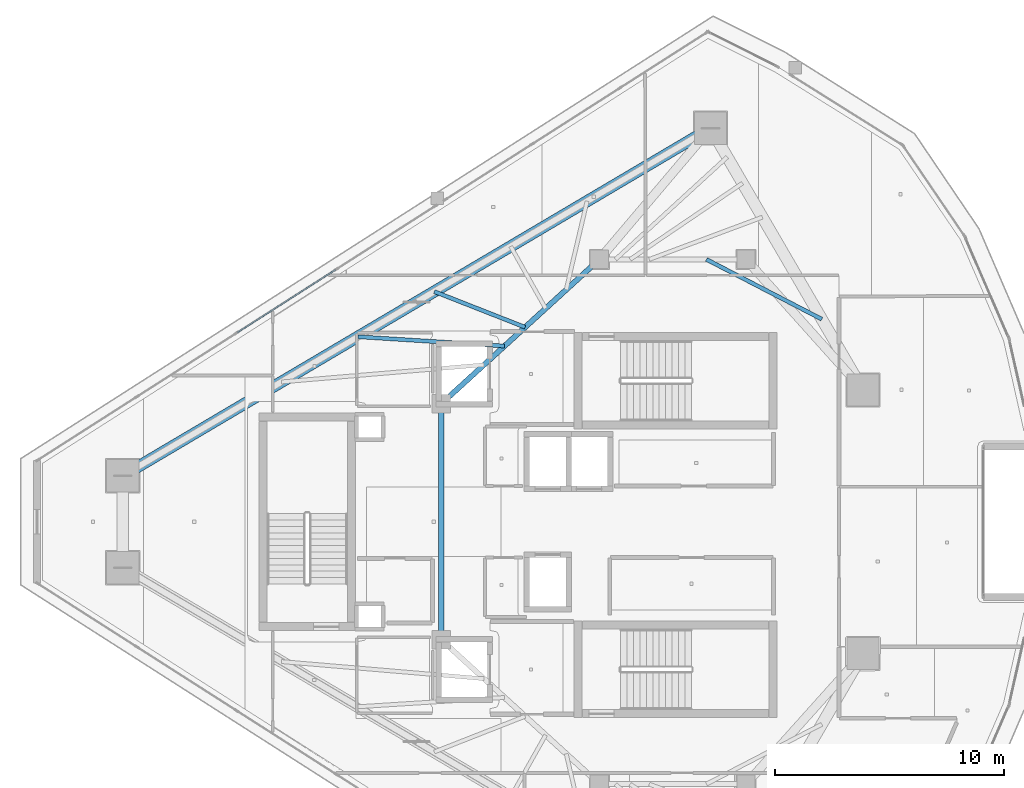
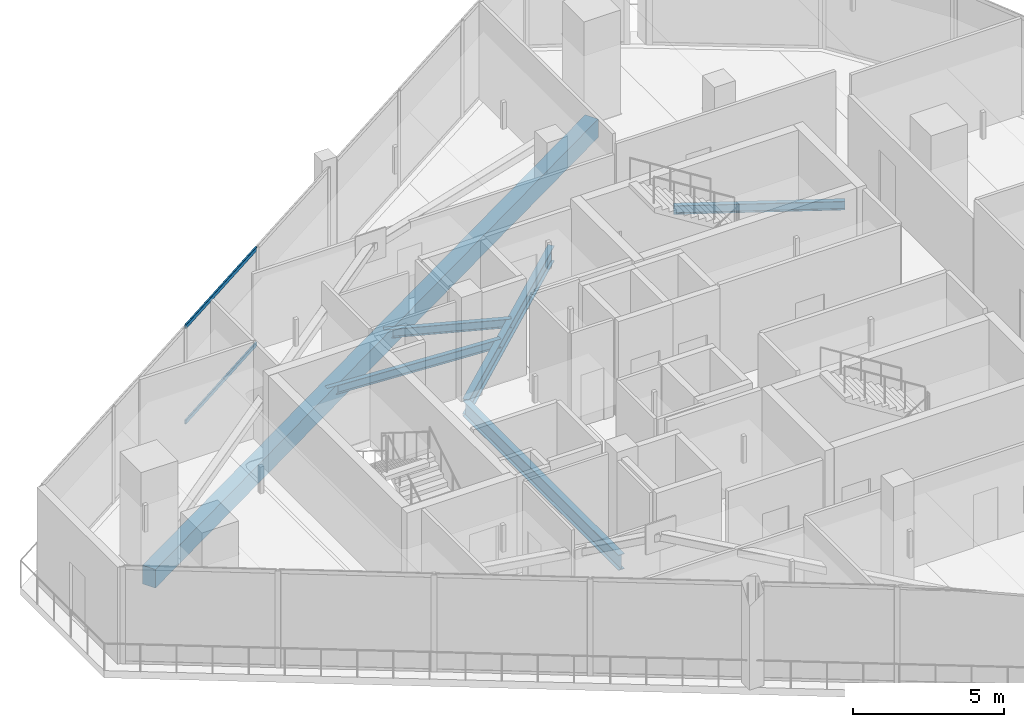
# One storey, part 8 of 25: 6 beams, 2 members, 1 element without a shape of its own.
"""IFC4 building model written with IfcOpenShell, lengths in metres."""

import ifcopenshell
import ifcopenshell.guid

model = None  # the IFC model being written
_history = None  # IfcOwnerHistory: only IFC2X3 demands one
_inside = {}  # id of a spatial element -> (the spatial element, [elements in it])
_under = {}  # id of a project, library or spatial element -> (it, [spatial elements below it])
_declared = {}  # id of a project -> (the project, [libraries it declares])
_typed = {}  # id of a type object -> (the type object, [elements of that type])
_made_of = {}  # id of a material, layer set ... -> (it, [elements and type objects made of it])


def new_model(schema):
    """Start an empty IFC model of exactly this schema.

    Asked for "IFC4X3", IfcOpenShell would pick the latest addendum, in which some entities
    have other attributes; the version numbers below select the first issue.
    IFC2X3 requires an IfcOwnerHistory on every rooted entity: one is made here for all.
    """
    global model, _history
    if schema == "IFC4X3":
        model = ifcopenshell.file(schema_version=(4, 3, 0, 0))
    else:
        model = ifcopenshell.file(schema=schema)
    _inside.clear()
    _under.clear()
    _declared.clear()
    _typed.clear()
    _made_of.clear()
    _history = None
    if model.schema == "IFC2X3":
        org = make("IfcOrganization", Name="unknown")
        user = make(
            "IfcPersonAndOrganization",
            ThePerson=make("IfcPerson", FamilyName="unknown"),
            TheOrganization=org,
        )
        app = make(
            "IfcApplication",
            ApplicationDeveloper=org,
            Version="unknown",
            ApplicationFullName="unknown",
            ApplicationIdentifier="unknown",
        )
        _history = make(
            "IfcOwnerHistory",
            OwningUser=user,
            OwningApplication=app,
            ChangeAction="ADDED",
            CreationDate=0,
        )
    return model


def make(cls, **values):
    """One entity of the class cls with the attributes given. An attribute that is None is left unset."""
    return model.create_entity(
        cls, **{name: value for name, value in values.items() if value is not None}
    )


def rooted(cls, **values):
    """An entity with a GlobalId (a new one), such as an element, a storey or a relation."""
    return make(cls, GlobalId=ifcopenshell.guid.new(), OwnerHistory=_history, **values)


def si_unit(unit_type, name, prefix=None):
    """IfcSIUnit, for example si_unit("LENGTHUNIT", "METRE", prefix="MILLI")."""
    return make("IfcSIUnit", UnitType=unit_type, Prefix=prefix, Name=name)


def assignment(units):
    """IfcUnitAssignment: the units of a project."""
    return None if units is None else make("IfcUnitAssignment", Units=units)


def point(xyz):
    """IfcCartesianPoint."""
    return None if xyz is None else make("IfcCartesianPoint", Coordinates=xyz)


def direction(xyz):
    """IfcDirection."""
    return None if xyz is None else make("IfcDirection", DirectionRatios=xyz)


def frame(location, z_axis=None, x_axis=None):
    """IfcAxis2Placement3D, a coordinate frame: its origin and axes. An axis left out is left unset."""
    return make(
        "IfcAxis2Placement3D",
        Location=point(location),
        Axis=direction(z_axis),
        RefDirection=direction(x_axis),
    )


def frame_2d(location, x_axis=None):
    """IfcAxis2Placement2D, a coordinate frame in the plane: its origin and x axis."""
    return make(
        "IfcAxis2Placement2D", Location=point(location), RefDirection=direction(x_axis)
    )


def origin():
    """The frame at (0, 0, 0) with its axes left unset."""
    return frame((0.0, 0.0, 0.0))


def origin_2d():
    """The frame at (0, 0) in the plane with its x axis left unset."""
    return frame_2d((0.0, 0.0))


def place(relative_to, where):
    """IfcLocalPlacement: puts the frame where relative to a parent placement (None: the world)."""
    return make(
        "IfcLocalPlacement", PlacementRelTo=relative_to, RelativePlacement=where
    )


def context(
    kind, dimensions, precision=None, world=None, true_north=None, identifier=None
):
    """IfcGeometricRepresentationContext, for example the 3D "Model" context."""
    return make(
        "IfcGeometricRepresentationContext",
        ContextIdentifier=identifier,
        ContextType=kind,
        CoordinateSpaceDimension=dimensions,
        Precision=precision,
        WorldCoordinateSystem=world,
        TrueNorth=true_north,
    )


def subcontext(parent, identifier, kind, view, scale=None):
    """IfcGeometricRepresentationSubContext, for example "Body" below "Model"."""
    return make(
        "IfcGeometricRepresentationSubContext",
        ContextIdentifier=identifier,
        ContextType=kind,
        ParentContext=parent,
        TargetScale=scale,
        TargetView=view,
    )


def project(units=None, contexts=None):
    """IfcProject with its units and contexts."""
    return rooted(
        "IfcProject",
        Name="project",
        RepresentationContexts=contexts,
        UnitsInContext=assignment(units),
    )


def spatial(cls, under=None, at=None, **own):
    """A site, building, storey or space (cls), placed at a placement, below another one or the project."""
    s = rooted(cls, ObjectPlacement=at, **own)
    if under is not None:
        _under.setdefault(under.id(), (under, []))[1].append(s)
    return s


def profile(cls, at=None, kind="AREA", **sizes):
    """A parametric profile (cls). Its sizes go by their IFC names, for example OverallWidth=200.0."""
    return make(cls, ProfileType=kind, Position=at, **sizes)


def rectangle(**sizes):
    """IfcRectangleProfileDef."""
    return profile("IfcRectangleProfileDef", **sizes)


def hollow_rectangle(**sizes):
    """IfcRectangleHollowProfileDef."""
    return profile("IfcRectangleHollowProfileDef", **sizes)


def i_section(**sizes):
    """IfcIShapeProfileDef."""
    return profile("IfcIShapeProfileDef", **sizes)


def extrude(swept, where, along, depth):
    """IfcExtrudedAreaSolid: the profile swept, set in the frame where, extruded along a direction by depth."""
    return make(
        "IfcExtrudedAreaSolid",
        SweptArea=swept,
        Position=where,
        ExtrudedDirection=direction(along),
        Depth=depth,
    )


def shape(context_of_items, identifier, shape_type, items):
    """IfcShapeRepresentation: the items that make up one representation, for example the "Body"."""
    return make(
        "IfcShapeRepresentation",
        ContextOfItems=context_of_items,
        RepresentationIdentifier=identifier,
        RepresentationType=shape_type,
        Items=items,
    )


def material(Name=None, Category=None):
    """IfcMaterial."""
    return make("IfcMaterial", Name=Name, Category=Category)


def layer(
    of_material, thickness, ventilated=None, Name=None, Category=None, Priority=None
):
    """IfcMaterialLayer: one layer of a wall or slab, of a material (None: an air gap)."""
    return make(
        "IfcMaterialLayer",
        Material=of_material,
        LayerThickness=thickness,
        IsVentilated=ventilated,
        Name=Name,
        Category=Category,
        Priority=Priority,
    )


def layer_set(layers, Name=None):
    """IfcMaterialLayerSet."""
    return make("IfcMaterialLayerSet", MaterialLayers=layers, LayerSetName=Name)


def material_profile(
    of_material, cross_section, Name=None, Category=None, Priority=None
):
    """IfcMaterialProfile: a cross section and its material."""
    return make(
        "IfcMaterialProfile",
        Name=Name,
        Material=of_material,
        Profile=cross_section,
        Priority=Priority,
        Category=Category,
    )


def profile_set(profiles, Name=None, composite=None):
    """IfcMaterialProfileSet."""
    return make(
        "IfcMaterialProfileSet",
        Name=Name,
        MaterialProfiles=profiles,
        CompositeProfile=composite,
    )


def made_of(thing, what):
    """Note that an element or type object is made of a material, layer set ...; save() writes the relation."""
    if what is not None:
        _made_of.setdefault(what.id(), (what, []))[1].append(thing)
    return thing


def type_object(cls, material=None, **own):
    """A type object (cls), such as IfcWallType, which elements share."""
    return made_of(rooted(cls, **own), material)


def element(
    cls,
    number,
    at=None,
    inside=None,
    cuts=None,
    type_object=None,
    material=None,
    context=None,
    identifier="Body",
    shape_type=None,
    held_by="IfcProductDefinitionShape",
    body=None,
    shapes=None,
    **own,
):
    """One element of the class cls, such as IfcWall. Its Tag is "e" and its number.

    at: its placement. inside: the storey or other place that contains it. cuts: it is an
    opening in that element (IfcRelVoidsElement). A single representation is given by context,
    identifier, shape_type and body (its items); several are given by shapes. held_by: the class
    of the entity that holds the representations. save() writes the other relations.
    """
    e = rooted(cls, Tag="e%d" % number, ObjectPlacement=at, **own)
    if body is not None:
        shapes = [shape(context, identifier, shape_type, body)]
    if shapes is not None:
        e.Representation = make(held_by, Representations=shapes)
    if inside is not None:
        _inside.setdefault(inside.id(), (inside, []))[1].append(e)
    if cuts is not None:
        rooted(
            "IfcRelVoidsElement", RelatingBuildingElement=cuts, RelatedOpeningElement=e
        )
    if type_object is not None:
        _typed.setdefault(type_object.id(), (type_object, []))[1].append(e)
    return made_of(e, material)


def aggregate(whole, parts):
    """IfcRelAggregates: a whole, such as a stair, and the parts it consists of."""
    return rooted("IfcRelAggregates", RelatingObject=whole, RelatedObjects=parts)


def save(model, path):
    """Write the relations noted so far, then the file.

    IfcRelAggregates (storeys below a building ...), IfcRelContainedInSpatialStructure (elements
    in a storey), IfcRelDefinesByType, IfcRelAssociatesMaterial and IfcRelDeclares: one each for
    every whole, place, type object, material and project.
    """
    for whole, parts in _under.values():
        aggregate(whole, parts)
    for where, things in _inside.values():
        rooted(
            "IfcRelContainedInSpatialStructure",
            RelatedElements=things,
            RelatingStructure=where,
        )
    for kind, things in _typed.values():
        rooted("IfcRelDefinesByType", RelatedObjects=things, RelatingType=kind)
    for what, things in _made_of.values():
        rooted("IfcRelAssociatesMaterial", RelatedObjects=things, RelatingMaterial=what)
    for by, libraries in _declared.values():
        rooted("IfcRelDeclares", RelatingContext=by, RelatedDefinitions=libraries)
    model.write(path)


model = new_model("IFC4")

# Units and contexts
model_context = context("Model", 3, precision=1e-05, world=origin(), true_north=direction((0.0, 1.0)))
body_context = subcontext(model_context, "Body", "Model", "MODEL_VIEW")
ifc_project = project(units=[si_unit("LENGTHUNIT", "METRE"), si_unit("AREAUNIT", "SQUARE_METRE"), si_unit("VOLUMEUNIT", "CUBIC_METRE"), si_unit("PLANEANGLEUNIT", "RADIAN"), si_unit("MASSUNIT", "GRAM", prefix="KILO")], contexts=[model_context])

# Site, building, storey
site_placement = place(None, origin())
site = spatial("IfcSite", under=ifc_project, at=site_placement, CompositionType="ELEMENT")
building_placement = place(site_placement, origin())
building = spatial("IfcBuilding", under=site, at=building_placement, Name="Qorvath Tower", CompositionType="ELEMENT")
storey_placement = place(building_placement, frame((0.0, 0.0, 314.39990234375)))
storey = spatial("IfcBuildingStorey", under=building, at=storey_placement, Name="L73", CompositionType="ELEMENT", Elevation=314.39990234375)

# Beams
ifc_material_1 = material(Name="Steel ASTM A992 Grade 50", Category="steel")
ifc_material_profile_1 = material_profile(ifc_material_1, i_section(OverallWidth=0.22998046875, OverallDepth=0.616943359375, WebThickness=0.01318359375, FlangeThickness=0.022216796875, FilletRadius=0.014892578125, at=origin_2d()), Name="W24x94")
ifc_profile_set_1 = profile_set([ifc_material_profile_1], Name="Steel ASTM A992 Grade 50")
beam_type_1 = type_object("IfcBeamType", Name="BM-FG6", PredefinedType="BEAM", material=ifc_profile_set_1)
beam_1_placement = place(storey_placement, frame((-30.5, -5.14990234375, -0.598388671875), z_axis=(0.0, 1.0, 0.0), x_axis=(-1.0, 0.0, 0.0)))
element("IfcBeam", 1, at=beam_1_placement, inside=storey, type_object=beam_type_1, Name="Core Ring Girder CC6-CC5 L73", PredefinedType="BEAM", context=body_context, shape_type="SweptSolid", body=[
    extrude(i_section(OverallWidth=0.22998046875, OverallDepth=0.616943359375, WebThickness=0.01318359375, FlangeThickness=0.022216796875, FilletRadius=0.014892578125, at=origin_2d()), origin(), (0.0, 0.0, 1.0), 10.2998046875),
])
beam_2_placement = place(storey_placement, frame((-30.5, 5.14990234375, -0.598388671875), z_axis=(0.73847813985, 0.6742774184, 0.0), x_axis=(-0.6742774184, 0.73847813985, 0.0)))
element("IfcBeam", 2, at=beam_2_placement, inside=storey, type_object=beam_type_1, Name="Core Ring Girder CC5-CC1 L73", PredefinedType="BEAM", context=body_context, shape_type="SweptSolid", body=[
    extrude(i_section(OverallWidth=0.22998046875, OverallDepth=0.616943359375, WebThickness=0.01318359375, FlangeThickness=0.022216796875, FilletRadius=0.014892578125, at=origin_2d()), origin(), (0.0, 0.0, 1.0), 9.343505859375),
])
ifc_material_2 = material(Name="Steel ASTM A992 Grade 50", Category="steel")
ifc_material_profile_2 = material_profile(ifc_material_2, i_section(OverallWidth=0.1708984375, OverallDepth=0.35107421875, WebThickness=0.0068359375, FlangeThickness=0.009765625, FilletRadius=0.010009765625, at=origin_2d()), Name="W14x30")
ifc_profile_set_2 = profile_set([ifc_material_profile_2], Name="Steel ASTM A992 Grade 50")
beam_type_2 = type_object("IfcBeamType", Name="BM-FJ4", PredefinedType="JOIST", material=ifc_profile_set_2)
beam_3_placement = place(storey_placement, frame((-18.927978515625, 11.449951171875, -0.46533203125), z_axis=(0.887840529015, -0.460151274082, 0.0), x_axis=(0.460151274082, 0.887840529015, 0.0)))
element("IfcBeam", 3, at=beam_3_placement, inside=storey, type_object=beam_type_2, Name="Composite Floor Joist NE2 L73", PredefinedType="JOIST", context=body_context, shape_type="SweptSolid", body=[
    extrude(i_section(OverallWidth=0.1708984375, OverallDepth=0.35107421875, WebThickness=0.0068359375, FlangeThickness=0.009765625, FilletRadius=0.010009765625, at=origin_2d()), origin(), (0.0, 0.0, 1.0), 5.670654296875),
])
beam_4_placement = place(storey_placement, frame((-27.739990234375, 7.669921875, -0.46533203125), z_axis=(-0.998006998641, 0.063103333222, 0.0), x_axis=(-0.063103333222, -0.998006998641, 0.0)))
element("IfcBeam", 4, at=beam_4_placement, inside=storey, type_object=beam_type_2, Name="Composite Floor Joist NW3 L73", PredefinedType="JOIST", context=body_context, shape_type="SweptSolid", body=[
    extrude(i_section(OverallWidth=0.1708984375, OverallDepth=0.35107421875, WebThickness=0.0068359375, FlangeThickness=0.009765625, FilletRadius=0.010009765625, at=origin_2d()), origin(), (0.0, 0.0, 1.0), 6.41455078125),
])
beam_5_placement = place(storey_placement, frame((-26.843017578125, 8.489013671875, -0.46533203125), z_axis=(-0.930720832638, 0.365730408489, 0.0), x_axis=(-0.365730408489, -0.930720832638, 0.0)))
element("IfcBeam", 5, at=beam_5_placement, inside=storey, type_object=beam_type_2, Name="Composite Floor Joist NW4 L73", PredefinedType="JOIST", context=body_context, shape_type="SweptSolid", body=[
    extrude(i_section(OverallWidth=0.1708984375, OverallDepth=0.35107421875, WebThickness=0.0068359375, FlangeThickness=0.009765625, FilletRadius=0.010009765625, at=origin_2d()), origin(), (0.0, 0.0, 1.0), 4.259033203125),
])
ifc_material_3 = material(Name="Concrete C45/55", Category="concrete")
ifc_material_profile_3 = material_profile(ifc_material_3, rectangle(XDim=0.5, YDim=0.75, at=origin_2d()), Name="RCB 750x500")
ifc_profile_set_3 = profile_set([ifc_material_profile_3], Name="Concrete C45/55")
beam_type_3 = type_object("IfcBeamType", Name="BM-RCB3", PredefinedType="SPANDREL", material=ifc_profile_set_3)
beam_6_placement = place(storey_placement, frame((-18.75048828125, 17.175537109375, -0.664794921875), z_axis=(-0.860780849348, -0.508975765038, 0.0), x_axis=(0.508975765038, -0.860780849348, 0.0)))
element("IfcBeam", 6, at=beam_6_placement, inside=storey, type_object=beam_type_3, Name="Perimeter Loggia Frame Beam MC6-MC1 L73", PredefinedType="SPANDREL", context=body_context, shape_type="SweptSolid", body=[
    extrude(rectangle(XDim=0.5, YDim=0.75, at=origin_2d()), origin(), (0.0, 0.0, 1.0), 29.801025390625),
])

# Curtain wall, members
ifc_material_4 = material(Name="Anodised aluminium and triple low-E glass", Category="aluminium")
ifc_layer = layer(ifc_material_4, 0.179931640625)
ifc_layer_set = layer_set([ifc_layer], Name="CW-SYS-4")
curtain_wall_type = type_object("IfcCurtainWallType", Name="CW-SYS-4", PredefinedType="NOTDEFINED", material=ifc_layer_set)
curtain_wall_placement = place(storey_placement, origin())
curtain_wall = element("IfcCurtainWall", 7, at=curtain_wall_placement, inside=storey, type_object=curtain_wall_type, Name="Curtain Wall CW-4 CW-T-L73-16.2", PredefinedType="NOTDEFINED")
ifc_material_5 = material(Name="Anodised aluminium 6063-T6", Category="aluminium")
ifc_material_profile_4 = material_profile(ifc_material_5, hollow_rectangle(XDim=0.06494140625, YDim=0.159912109375, WallThickness=0.00341796875, InnerFilletRadius=0.00341796875, OuterFilletRadius=0.007080078125, at=origin_2d()), Name="CWT 160x65")
ifc_profile_set_4 = profile_set([ifc_material_profile_4], Name="Anodised aluminium 6063-T6")
member_type = type_object("IfcMemberType", Name="CWT-160", PredefinedType="USERDEFINED", material=ifc_profile_set_4)
member_1_placement = place(storey_placement, frame((-35.115966796875, 11.001220703125, 0.032470703125), z_axis=(-0.842597759024, -0.538543421173, 0.0), x_axis=(0.538543421173, -0.842597759024, 0.0)))
member_1 = element("IfcMember", 8, at=member_1_placement, type_object=member_type, Name="CW-4 transom 2.1", ObjectType="TRANSOM", PredefinedType="USERDEFINED", context=body_context, shape_type="SweptSolid", body=[
    extrude(hollow_rectangle(XDim=0.06494140625, YDim=0.159912109375, WallThickness=0.00341796875, InnerFilletRadius=0.00341796875, OuterFilletRadius=0.007080078125, at=origin_2d()), origin(), (0.0, 0.0, 1.0), 5.09228515625),
])
member_2_placement = place(storey_placement, frame((-35.115966796875, 11.001220703125, 3.877685546875), z_axis=(-0.842597759024, -0.538543421173, 0.0), x_axis=(0.538543421173, -0.842597759024, 0.0)))
member_2 = element("IfcMember", 9, at=member_2_placement, type_object=member_type, Name="CW-4 transom 2.2", ObjectType="TRANSOM", PredefinedType="USERDEFINED", context=body_context, shape_type="SweptSolid", body=[
    extrude(hollow_rectangle(XDim=0.06494140625, YDim=0.159912109375, WallThickness=0.00341796875, InnerFilletRadius=0.00341796875, OuterFilletRadius=0.007080078125, at=origin_2d()), origin(), (0.0, 0.0, 1.0), 5.09228515625),
])
aggregate(curtain_wall, [member_1, member_2])

save(model, "model.ifc")
